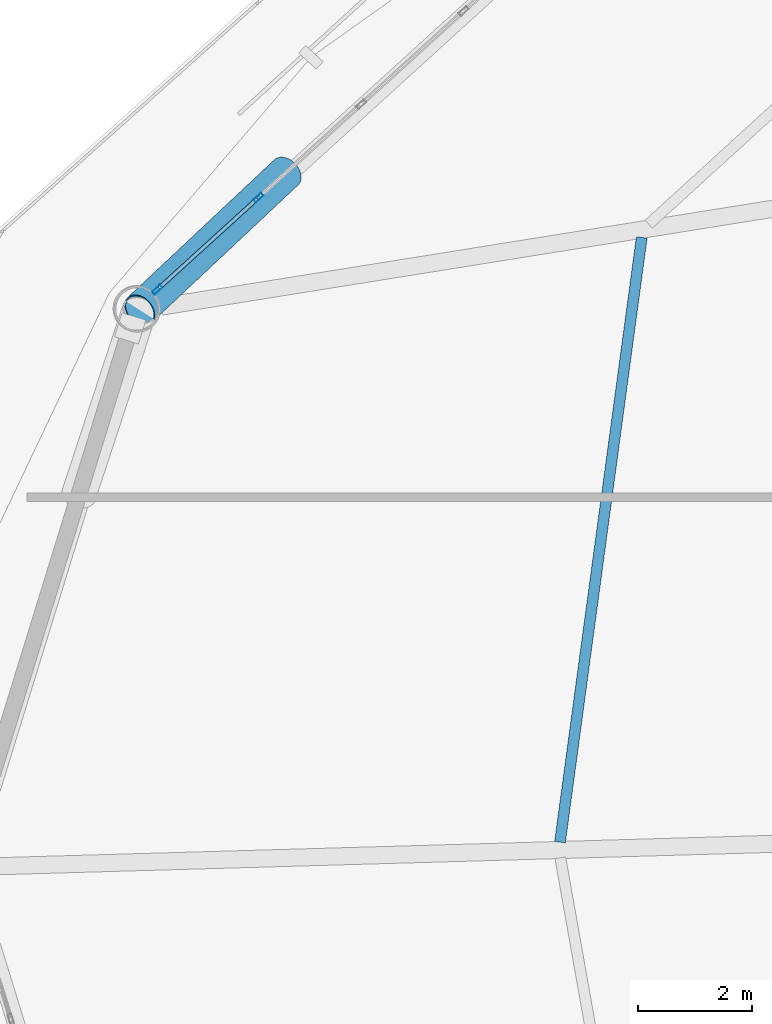
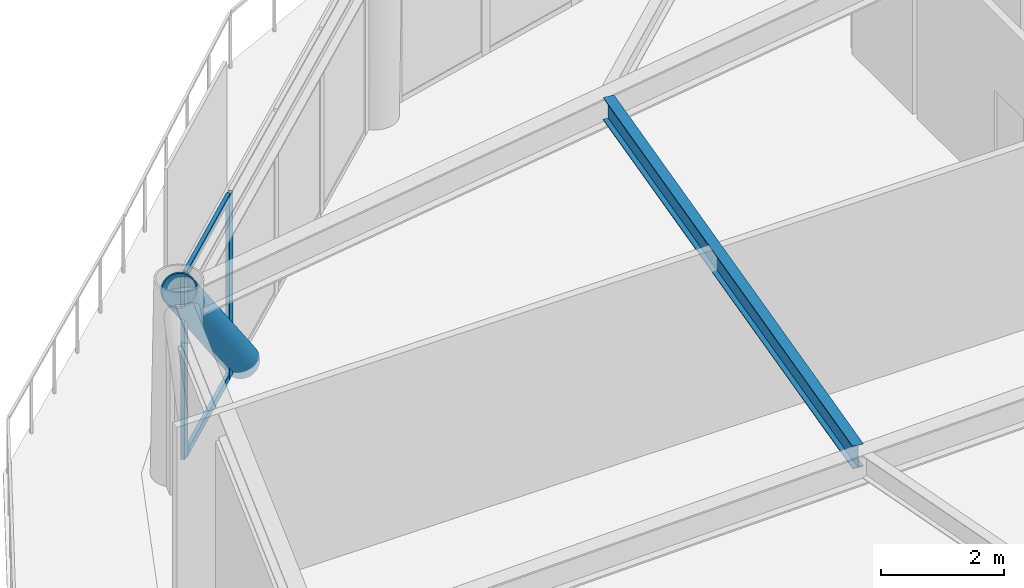
# One storey, part 10 of 26: 5 members, 1 beam, 1 element without a shape of its own.
"""IFC4 building model written with IfcOpenShell, lengths in metres."""

from ifc_helpers import new_model, si_unit, direction, frame, origin, origin_2d, place, context, subcontext, project, spatial, hollow_rectangle, hollow_circle, i_section, extrude, material, layer, layer_set, material_profile, profile_set, type_object, element, aggregate, save


model = new_model("IFC4")

# Units and contexts
model_context = context("Model", 3, precision=1e-05, world=origin(), true_north=direction((0.0, 1.0)))
body_context = subcontext(model_context, "Body", "Model", "MODEL_VIEW")
ifc_project = project(units=[si_unit("LENGTHUNIT", "METRE"), si_unit("AREAUNIT", "SQUARE_METRE"), si_unit("VOLUMEUNIT", "CUBIC_METRE"), si_unit("PLANEANGLEUNIT", "RADIAN"), si_unit("MASSUNIT", "GRAM", prefix="KILO")], contexts=[model_context])

# Site, building, storey
site_placement = place(None, origin())
site = spatial("IfcSite", under=ifc_project, at=site_placement, CompositionType="ELEMENT")
building_placement = place(site_placement, origin())
building = spatial("IfcBuilding", under=site, at=building_placement, Name="Varnakorn Sky Granary", CompositionType="ELEMENT")
storey_placement = place(building_placement, frame((0.0, 0.0, 95.39990234375)))
storey = spatial("IfcBuildingStorey", under=building, at=storey_placement, Name="L23", CompositionType="ELEMENT", Elevation=95.39990234375)

# Beam
ifc_material_1 = material(Name="Steel S355JR", Category="steel")
ifc_material_profile_1 = material_profile(ifc_material_1, i_section(OverallWidth=0.18994140625, OverallDepth=0.449951171875, WebThickness=0.009521484375, FlangeThickness=0.0146484375, at=origin_2d()), Name="IPE 450")
ifc_profile_set_1 = profile_set([ifc_material_profile_1], Name="Steel S355JR")
beam_type = type_object("IfcBeamType", Name="BM-SEC-Z2", PredefinedType="BEAM", material=ifc_profile_set_1)
beam_placement = place(storey_placement, frame((-11.30908203125, 11.06201171875, 3.4150390625), z_axis=(-0.133998288365, -0.990981563257, 0.0), x_axis=(0.990981563257, -0.133998288365, 0.0)))
element("IfcBeam", 1, at=beam_placement, inside=storey, type_object=beam_type, Name="Secondary Floor Chord Beam MSB06 L23", PredefinedType="BEAM", context=body_context, shape_type="SweptSolid", body=[
    extrude(i_section(OverallWidth=0.18994140625, OverallDepth=0.449951171875, WebThickness=0.009521484375, FlangeThickness=0.0146484375, at=origin_2d()), origin(), (0.0, 0.0, 1.0), 10.720458984375),
])

# Curtain wall, members
ifc_material_2 = material(Name="Anodised Bronze Aluminium Alloy 6063-T6", Category="aluminium")
ifc_layer = layer(ifc_material_2, 0.18994140625, Name="Anodised Bronze Aluminium Alloy 6063-T6")
ifc_layer_set = layer_set([ifc_layer], Name="Anodised Bronze Aluminium Alloy 6063-T6")
curtain_wall_type = type_object("IfcCurtainWallType", Name="CW-FRM-1", PredefinedType="USERDEFINED", material=ifc_layer_set)
curtain_wall_placement = place(storey_placement, origin())
curtain_wall = element("IfcCurtainWall", 2, at=curtain_wall_placement, inside=storey, type_object=curtain_wall_type, Name="Unitised Curtain Wall CW3 CW-L23-B05", ObjectType="CURTAIN WALL", PredefinedType="USERDEFINED")
ifc_material_profile_2 = material_profile(ifc_material_2, hollow_rectangle(XDim=0.070068359375, YDim=0.18505859375, WallThickness=0.00390625, at=origin_2d()), Name="ALU MULL 70x185")
ifc_profile_set_2 = profile_set([ifc_material_profile_2], Name="Anodised Bronze Aluminium Alloy 6063-T6")
member_type_1 = type_object("IfcMemberType", Name="CW-FRM-1-MULL", PredefinedType="MULLION", material=ifc_profile_set_2)
member_1_placement = place(storey_placement, frame((-19.819580078125, 10.1474609375, 0.0), z_axis=(0.0, 0.0, 1.0), x_axis=(-0.67267177226, 0.739941002246, 0.0)))
member_1 = element("IfcMember", 3, at=member_1_placement, type_object=member_type_1, Name="CW3 mullion 1", PredefinedType="MULLION", context=body_context, shape_type="SweptSolid", body=[
    extrude(hollow_rectangle(XDim=0.070068359375, YDim=0.18505859375, WallThickness=0.00390625, at=origin_2d()), origin(), (0.0, 0.0, 1.0), 3.64013671875),
])
member_2_placement = place(storey_placement, frame((-18.043212890625, 11.76220703125, 0.0), z_axis=(0.0, 0.0, 1.0), x_axis=(-0.67267177226, 0.739941002246, 0.0)))
member_2 = element("IfcMember", 4, at=member_2_placement, type_object=member_type_1, Name="CW3 mullion 2", PredefinedType="MULLION", context=body_context, shape_type="SweptSolid", body=[
    extrude(hollow_rectangle(XDim=0.070068359375, YDim=0.18505859375, WallThickness=0.00390625, at=origin_2d()), origin(), (0.0, 0.0, 1.0), 3.64013671875),
])
ifc_material_profile_3 = material_profile(ifc_material_2, hollow_rectangle(XDim=0.070068359375, YDim=0.139892578125, WallThickness=0.00341796875, at=origin_2d()), Name="ALU TRAN 70x140")
ifc_profile_set_3 = profile_set([ifc_material_profile_3], Name="Anodised Bronze Aluminium Alloy 6063-T6")
member_type_2 = type_object("IfcMemberType", Name="CW-FRM-1-TRAN", PredefinedType="USERDEFINED", material=ifc_profile_set_3)
member_3_placement = place(storey_placement, frame((-19.793701171875, 10.1708984375, 0.03515625), z_axis=(0.739930593984, 0.672683221201, 0.0), x_axis=(-0.672683221201, 0.739930593984, 0.0)))
member_3 = element("IfcMember", 5, at=member_3_placement, type_object=member_type_2, Name="CW3 transom 1.1", ObjectType="TRANSOM", PredefinedType="USERDEFINED", context=body_context, shape_type="SweptSolid", body=[
    extrude(hollow_rectangle(XDim=0.070068359375, YDim=0.139892578125, WallThickness=0.00341796875, at=origin_2d()), origin(), (0.0, 0.0, 1.0), 2.330810546875),
])
member_4_placement = place(storey_placement, frame((-19.793701171875, 10.1708984375, 3.60498046875), z_axis=(0.739930593984, 0.672683221201, 0.0), x_axis=(-0.672683221201, 0.739930593984, 0.0)))
member_4 = element("IfcMember", 6, at=member_4_placement, type_object=member_type_2, Name="CW3 transom 1.2", ObjectType="TRANSOM", PredefinedType="USERDEFINED", context=body_context, shape_type="SweptSolid", body=[
    extrude(hollow_rectangle(XDim=0.070068359375, YDim=0.139892578125, WallThickness=0.00341796875, at=origin_2d()), origin(), (0.0, 0.0, 1.0), 2.330810546875),
])
aggregate(curtain_wall, [member_1, member_2, member_3, member_4])

# Member
ifc_material_3 = material(Name="Steel S460M", Category="steel")
ifc_material_profile_4 = material_profile(ifc_material_3, hollow_circle(Radius=0.304931640625, WallThickness=0.022216796875, at=origin_2d()), Name="CHS 610x22")
ifc_profile_set_4 = profile_set([ifc_material_profile_4], Name="Steel S460M")
member_type_3 = type_object("IfcMemberType", Name="MB-DIAG-T1", PredefinedType="BRACE", material=ifc_profile_set_4)
member_5_placement = place(storey_placement, frame((-17.557373046875, 12.203857421875, -0.1298828125), z_axis=(-0.498454714674, -0.468021946732, 0.729724848691), x_axis=(0.684501882631, -0.729011092285, 0.0)))
element("IfcMember", 7, at=member_5_placement, inside=storey, type_object=member_type_3, Name="Perimeter CHS Diagrid Brace DG05 L23", PredefinedType="BRACE", context=body_context, shape_type="SweptSolid", body=[
    extrude(hollow_circle(Radius=0.304931640625, WallThickness=0.022216796875, at=origin_2d()), origin(), (0.0, 0.0, 1.0), 5.166259765625),
])

save(model, "model.ifc")
